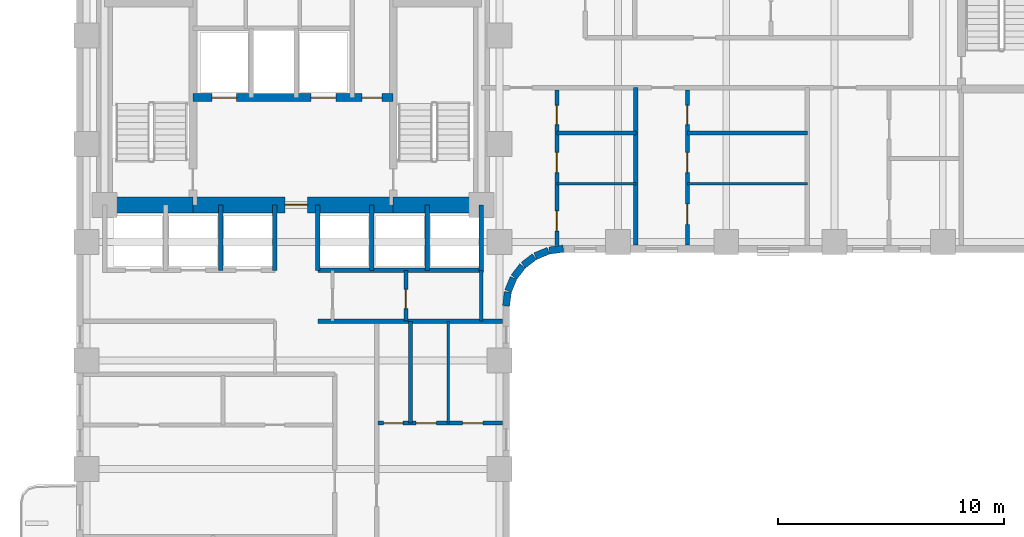
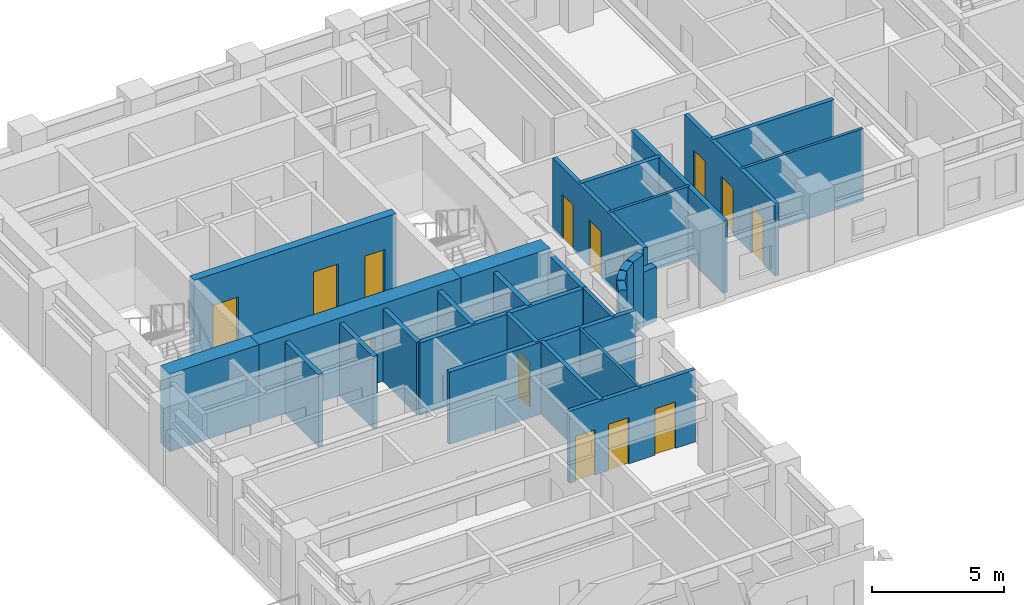
# One storey, part 4 of 11: 30 walls, 14 doors, 14 openings.
"""IFC4 building model written with IfcOpenShell, lengths in metres."""

from ifc_helpers import new_model, si_unit, direction, frame, frame_2d, origin, place, context, subcontext, project, spatial, rectangle, extrude, material, layer, layer_set, type_object, element, fill, save


model = new_model("IFC4")

# Units and contexts
model_context = context("Model", 3, precision=1e-05, world=origin(), true_north=direction((0.0, 1.0)))
body_context = subcontext(model_context, "Body", "Model", "MODEL_VIEW")
ifc_project = project(units=[si_unit("LENGTHUNIT", "METRE"), si_unit("AREAUNIT", "SQUARE_METRE"), si_unit("VOLUMEUNIT", "CUBIC_METRE"), si_unit("PLANEANGLEUNIT", "RADIAN"), si_unit("MASSUNIT", "GRAM", prefix="KILO")], contexts=[model_context])

# Site, building, storey
site_placement = place(None, origin())
site = spatial("IfcSite", under=ifc_project, at=site_placement, CompositionType="ELEMENT")
building_placement = place(site_placement, origin())
building = spatial("IfcBuilding", under=site, at=building_placement, Name="Orvandelia Arch Residences", CompositionType="ELEMENT")
storey_placement = place(building_placement, frame((0.0, 0.0, 53.800048828125)))
storey = spatial("IfcBuildingStorey", under=building, at=storey_placement, Name="L13", CompositionType="ELEMENT", Elevation=53.800048828125)

# Wall, openings, doors
ifc_material_1 = material(Name="Concrete C50/60", Category="concrete")
ifc_layer_1 = layer(ifc_material_1, 0.35009765625, Name="Concrete C50/60", Category="concrete")
ifc_layer_set_1 = layer_set([ifc_layer_1], Name="Concrete C50/60")
wall_type_1 = type_object("IfcWallType", Name="WL-CORE-350", PredefinedType="SHEAR", material=ifc_layer_set_1)
wall_1_placement = place(storey_placement, frame((9.9599609375, 35.64990234375, 0.0), z_axis=(0.0, 0.0, 1.0), x_axis=(1.0, 0.0, 0.0)))
wall_1 = element("IfcWall", 1, at=wall_1_placement, inside=storey, type_object=wall_type_1, Name="Core Shear Wall L13-HZ3", PredefinedType="SHEAR", context=body_context, shape_type="SweptSolid", body=[
    extrude(rectangle(XDim=8.880126953125, YDim=0.35009765625, at=frame_2d((4.43994140625, 0.0))), origin(), (0.0, 0.0, 1.0), 3.599853515625),
])
opening_1_placement = place(wall_1_placement, frame((0.840087890625, 0.0, 0.0)))
opening_1 = element("IfcOpeningElement", 2, at=opening_1_placement, cuts=wall_1, Name="Opening FLD", PredefinedType="OPENING", context=body_context, shape_type="SweptSolid", body=[
    extrude(rectangle(XDim=1.10009765625, YDim=2.14990234375, at=frame_2d((0.550048828125, 1.074951171875))), frame((0.0, 0.18505859375, 0.0), z_axis=(0.0, -1.0, 0.0), x_axis=(1.0, 0.0, 0.0)), (0.0, 0.0, 1.0), 0.3701171875),
])
opening_2_placement = place(wall_1_placement, frame((5.239990234375, 0.0, 0.0)))
opening_2 = element("IfcOpeningElement", 3, at=opening_2_placement, cuts=wall_1, Name="Opening FLD", PredefinedType="OPENING", context=body_context, shape_type="SweptSolid", body=[
    extrude(rectangle(XDim=1.10009765625, YDim=2.14990234375, at=frame_2d((0.550048828125, 1.074951171875))), frame((0.0, 0.18505859375, 0.0), z_axis=(0.0, -1.0, 0.0), x_axis=(1.0, 0.0, 0.0)), (0.0, 0.0, 1.0), 0.3701171875),
])
opening_3_placement = place(wall_1_placement, frame((7.5, 0.0, 0.0)))
opening_3 = element("IfcOpeningElement", 4, at=opening_3_placement, cuts=wall_1, Name="Opening D5", PredefinedType="OPENING", context=body_context, shape_type="SweptSolid", body=[
    extrude(rectangle(XDim=0.8798828125, YDim=2.10009765625, at=frame_2d((0.43994140625, 1.050048828125))), frame((0.0, 0.18505859375, 0.0), z_axis=(0.0, -1.0, 0.0), x_axis=(1.0, 0.0, 0.0)), (0.0, 0.0, 1.0), 0.3701171875),
])
ifc_material_2 = material(Name="Firefighting Lift Stainless Sliding Door")
door_type_1 = type_object("IfcDoorType", Name="DR-FLFT-1100", OperationType="NOTDEFINED", PredefinedType="DOOR", material=ifc_material_2)
door_1_placement = place(opening_1_placement, origin())
door_1 = element("IfcDoor", 5, at=door_1_placement, inside=storey, type_object=door_type_1, Name="Firefighting Lift Landing Door FLD-FL1-L13", OperationType="SLIDING_TO_LEFT", OverallHeight=2.14990234375, OverallWidth=1.10009765625, PredefinedType="DOOR", context=body_context, shape_type="SweptSolid", body=[
    extrude(rectangle(XDim=1.10009765625, YDim=2.14990234375, at=frame_2d((0.550048828125, 1.074951171875))), frame((0.0, 0.02490234375, 0.0), z_axis=(0.0, -1.0, 0.0), x_axis=(1.0, 0.0, 0.0)), (0.0, 0.0, 1.0), 0.050048828125),
])
fill(opening_1, door_1)
door_2_placement = place(opening_2_placement, origin())
door_2 = element("IfcDoor", 6, at=door_2_placement, inside=storey, type_object=door_type_1, Name="Firefighting Lift Landing Door FLD-FL2-L13", OperationType="SLIDING_TO_RIGHT", OverallHeight=2.14990234375, OverallWidth=1.10009765625, PredefinedType="DOOR", context=body_context, shape_type="SweptSolid", body=[
    extrude(rectangle(XDim=1.10009765625, YDim=2.14990234375, at=frame_2d((0.550048828125, 1.074951171875))), frame((0.0, 0.02490234375, 0.0), z_axis=(0.0, -1.0, 0.0), x_axis=(1.0, 0.0, 0.0)), (0.0, 0.0, 1.0), 0.050048828125),
])
fill(opening_2, door_2)
ifc_material_3 = material(Name="Painted Galvanised Steel Service Door", Category="steel")
door_type_2 = type_object("IfcDoorType", Name="DR-SRV-880", OperationType="NOTDEFINED", PredefinedType="DOOR", material=ifc_material_3)
door_3_placement = place(opening_3_placement, origin())
door_3 = element("IfcDoor", 7, at=door_3_placement, inside=storey, type_object=door_type_2, Name="Core Stairway Passage South Fire Door L13", OperationType="SINGLE_SWING_LEFT", OverallHeight=2.10009765625, OverallWidth=0.8798828125, PredefinedType="DOOR", context=body_context, shape_type="SweptSolid", body=[
    extrude(rectangle(XDim=0.8798828125, YDim=2.10009765625, at=frame_2d((0.43994140625, 1.050048828125))), frame((0.0, 0.02490234375, 0.0), z_axis=(0.0, -1.0, 0.0), x_axis=(1.0, 0.0, 0.0)), (0.0, 0.0, 1.0), 0.050048828125),
])
fill(opening_3, door_3)

# Wall
ifc_material_4 = material(Name="Concrete C80/95", Category="concrete")
ifc_layer_2 = layer(ifc_material_4, 0.699951171875, Name="Concrete C80/95", Category="concrete")
ifc_layer_set_2 = layer_set([ifc_layer_2], Name="Concrete C80/95")
wall_type_2 = type_object("IfcWallType", Name="WL-CORE-700", PredefinedType="SHEAR", material=ifc_layer_set_2)
wall_2_placement = place(storey_placement, frame((6.050048828125, 30.89990234375, 0.0), z_axis=(0.0, 0.0, 1.0), x_axis=(1.0, 0.0, 0.0)))
element("IfcWall", 8, at=wall_2_placement, inside=storey, type_object=wall_type_2, Name="Core Shear Wall L13-SW", PredefinedType="SHEAR", context=body_context, shape_type="SweptSolid", body=[
    extrude(rectangle(XDim=3.909912109375, YDim=0.699951171875, at=frame_2d((1.955078125, 0.0))), origin(), (0.0, 0.0, 1.0), 3.599853515625),
])

# Wall, opening, door
wall_3_placement = place(storey_placement, frame((9.9599609375, 30.89990234375, 0.0), z_axis=(0.0, 0.0, 1.0), x_axis=(1.0, 0.0, 0.0)))
wall_3 = element("IfcWall", 9, at=wall_3_placement, inside=storey, type_object=wall_type_2, Name="Core Shear Wall L13-SM", PredefinedType="SHEAR", context=body_context, shape_type="SweptSolid", body=[
    extrude(rectangle(XDim=8.880126953125, YDim=0.699951171875, at=frame_2d((4.43994140625, 0.0))), origin(), (0.0, 0.0, 1.0), 3.599853515625),
])
opening_4_placement = place(wall_3_placement, frame((4.090087890625, 0.0, 0.0)))
opening_4 = element("IfcOpeningElement", 10, at=opening_4_placement, cuts=wall_3, Name="Opening D6", PredefinedType="OPENING", context=body_context, shape_type="SweptSolid", body=[
    extrude(rectangle(XDim=1.0, YDim=2.14990234375, at=frame_2d((0.5, 1.074951171875))), frame((0.0, 0.35986328125, 0.0), z_axis=(0.0, -1.0, 0.0), x_axis=(1.0, 0.0, 0.0)), (0.0, 0.0, 1.0), 0.719970703125),
])
ifc_material_5 = material(Name="Smokeproof Painted Steel Fire Door", Category="steel")
door_type_3 = type_object("IfcDoorType", Name="DR-FD60-1000", OperationType="NOTDEFINED", PredefinedType="DOOR", material=ifc_material_5)
door_4_placement = place(opening_4_placement, origin())
door_4 = element("IfcDoor", 11, at=door_4_placement, inside=storey, type_object=door_type_3, Name="Firefighting Lobby Smokeproof Door L13", OperationType="SINGLE_SWING_LEFT", OverallHeight=2.14990234375, OverallWidth=1.0, PredefinedType="DOOR", context=body_context, shape_type="SweptSolid", body=[
    extrude(rectangle(XDim=1.0, YDim=2.14990234375, at=frame_2d((0.5, 1.074951171875))), frame((0.0, 0.02490234375, 0.0), z_axis=(0.0, -1.0, 0.0), x_axis=(1.0, 0.0, 0.0)), (0.0, 0.0, 1.0), 0.050048828125),
])
fill(opening_4, door_4)

# Walls
wall_4_placement = place(storey_placement, frame((18.840087890625, 30.89990234375, 0.0), z_axis=(0.0, 0.0, 1.0), x_axis=(1.0, 0.0, 0.0)))
element("IfcWall", 12, at=wall_4_placement, inside=storey, type_object=wall_type_2, Name="Core Shear Wall L13-SE", PredefinedType="SHEAR", context=body_context, shape_type="SweptSolid", body=[
    extrude(rectangle(XDim=3.909912109375, YDim=0.699951171875, at=frame_2d((1.955078125, 0.0))), origin(), (0.0, 0.0, 1.0), 3.599853515625),
])
ifc_material_6 = material(Name="Fire-Rated Corridor Partition")
ifc_layer_3 = layer(ifc_material_6, 0.199951171875, Name="Fire-Rated Corridor Partition")
ifc_layer_set_3 = layer_set([ifc_layer_3], Name="Fire-Rated Corridor Partition")
wall_type_3 = type_object("IfcWallType", Name="WL-CORR-200", PredefinedType="PARTITIONING", material=ifc_layer_set_3)
wall_5_placement = place(storey_placement, frame((15.5, 25.75, 0.0), z_axis=(0.0, 0.0, 1.0), x_axis=(1.0, 0.0, 0.0)))
element("IfcWall", 13, at=wall_5_placement, inside=storey, type_object=wall_type_3, Name="Interior Partition Wall WL-L13-WLNK-NE", PredefinedType="PARTITIONING", context=body_context, shape_type="SweptSolid", body=[
    extrude(rectangle(XDim=8.179931640625, YDim=0.199951171875, at=frame_2d((4.08984375, 0.0))), origin(), (0.0, 0.0, 1.0), 3.349853515625),
])
ifc_material_7 = material(Name="Concrete C40/50", Category="concrete")
ifc_layer_4 = layer(ifc_material_7, 0.199951171875, Name="Concrete C40/50", Category="concrete")
ifc_layer_set_4 = layer_set([ifc_layer_4], Name="Concrete C40/50")
wall_type_4 = type_object("IfcWallType", Name="WL-DEM-200", PredefinedType="SOLIDWALL", material=ifc_layer_set_4)
wall_6_placement = place(storey_placement, frame((29.60009765625, 29.1201171875, 0.0), z_axis=(0.0, 0.0, 1.0), x_axis=(0.0, 1.0, 0.0)))
element("IfcWall", 14, at=wall_6_placement, inside=storey, type_object=wall_type_4, Name="Interior Partition Wall WL-L13-DEM-EMS-296", PredefinedType="SOLIDWALL", context=body_context, shape_type="SweptSolid", body=[
    extrude(rectangle(XDim=6.97998046875, YDim=0.199951171875, at=frame_2d((3.489990234375, 0.0))), origin(), (0.0, 0.0, 1.0), 3.349853515625),
])
ifc_material_8 = material(Name="Precast concrete C40/50", Category="concrete")
ifc_layer_5 = layer(ifc_material_8, 0.320068359375, Name="Precast concrete C40/50", Category="concrete")
ifc_layer_set_5 = layer_set([ifc_layer_5], Name="Precast concrete C40/50")
wall_type_5 = type_object("IfcWallType", Name="WL-EXT-STONE-320", PredefinedType="STANDARD", material=ifc_layer_set_5)
wall_7_placement = place(storey_placement, frame((26.379150390625, 28.95849609375, 0.0), z_axis=(0.0, 0.0, 1.0), x_axis=(-0.991447664465, -0.130504898859, 0.0)))
element("IfcWall", 15, at=wall_7_placement, inside=storey, type_object=wall_type_5, Name="Coral-Limestone Precast Facade Wall L13-022", PredefinedType="STANDARD", context=body_context, shape_type="SweptSolid", body=[
    extrude(rectangle(XDim=0.626708984375, YDim=0.320068359375, at=frame_2d((0.3134765625, 0.0))), origin(), (0.0, 0.0, 1.0), 2.530029296875),
])
wall_8_placement = place(storey_placement, frame((25.717529296875, 28.865966796875, 0.0), z_axis=(0.0, 0.0, 1.0), x_axis=(-0.923836271867, -0.382787856107, 0.0)))
element("IfcWall", 16, at=wall_8_placement, inside=storey, type_object=wall_type_5, Name="Coral-Limestone Precast Facade Wall L13-023", PredefinedType="STANDARD", context=body_context, shape_type="SweptSolid", body=[
    extrude(rectangle(XDim=0.626220703125, YDim=0.320068359375, at=frame_2d((0.31298828125, 0.0))), origin(), (0.0, 0.0, 1.0), 3.349853515625),
])
for number, where, z_axis, x_axis, name in (
    (17, (25.1025390625, 28.60546875, 0.0), (0.0, 0.0, 1.0), (-0.793405610854, -0.608693302629, 0.0), "Coral-Limestone Precast Facade Wall L13-024"),
    (18, (24.575927734375, 28.194580078125, 0.0), (0.0, 0.0, 1.0), (-0.608693302629, -0.793405610854, 0.0), "Coral-Limestone Precast Facade Wall L13-025"),
):
    element("IfcWall", number, at=place(storey_placement, frame(where, z_axis=z_axis, x_axis=x_axis)), inside=storey, type_object=wall_type_5, Name=name, PredefinedType="STANDARD", context=body_context, shape_type="SweptSolid", body=[
        extrude(rectangle(XDim=0.62646484375, YDim=0.320068359375, at=frame_2d((0.313232421875, 0.0))), origin(), (0.0, 0.0, 1.0), 3.349853515625),
    ])
wall_9_placement = place(storey_placement, frame((24.173583984375, 27.6611328125, 0.0), z_axis=(0.0, 0.0, 1.0), x_axis=(-0.382455093999, -0.923974080304, 0.0)))
element("IfcWall", 19, at=wall_9_placement, inside=storey, type_object=wall_type_5, Name="Coral-Limestone Precast Facade Wall L13-026", PredefinedType="STANDARD", context=body_context, shape_type="SweptSolid", body=[
    extrude(rectangle(XDim=0.626220703125, YDim=0.320068359375, at=frame_2d((0.31298828125, 0.0))), origin(), (0.0, 0.0, 1.0), 3.349853515625),
])
wall_10_placement = place(storey_placement, frame((23.923095703125, 27.0419921875, 0.0), z_axis=(0.0, 0.0, 1.0), x_axis=(-0.130555323746, -0.9914410257, 0.0)))
element("IfcWall", 20, at=wall_10_placement, inside=storey, type_object=wall_type_5, Name="Coral-Limestone Precast Facade Wall L13-027", PredefinedType="STANDARD", context=body_context, shape_type="SweptSolid", body=[
    extrude(rectangle(XDim=0.62646484375, YDim=0.320068359375, at=frame_2d((0.313232421875, 0.0))), origin(), (0.0, 0.0, 1.0), 2.530029296875),
])
ifc_material_9 = material(Name="Lightweight Gypsum Stud Partition")
ifc_layer_6 = layer(ifc_material_9, 0.1201171875, Name="Lightweight Gypsum Stud Partition")
ifc_layer_set_6 = layer_set([ifc_layer_6], Name="Lightweight Gypsum Stud Partition")
wall_type_6 = type_object("IfcWallType", Name="WL-PART-120", PredefinedType="PARTITIONING", material=ifc_layer_set_6)
wall_11_placement = place(storey_placement, frame((21.284912109375, 21.22412109375, 0.0), z_axis=(0.0, 0.0, 1.0), x_axis=(0.0, 1.0, 0.0)))
element("IfcWall", 21, at=wall_11_placement, inside=storey, type_object=wall_type_6, Name="Interior Partition Wall WL-L13-U05-V2", PredefinedType="PARTITIONING", context=body_context, shape_type="SweptSolid", body=[
    extrude(rectangle(XDim=4.495849609375, YDim=0.1201171875, at=frame_2d((2.248046875, 0.0))), origin(), (0.0, 0.0, 1.0), 3.349853515625),
])
wall_12_placement = place(storey_placement, frame((26.093017578125, 31.8359375, 0.0), z_axis=(0.0, 0.0, 1.0), x_axis=(1.0, 0.0, 0.0)))
element("IfcWall", 22, at=wall_12_placement, inside=storey, type_object=wall_type_6, Name="Interior Partition Wall WL-L13-U06-H1", PredefinedType="PARTITIONING", context=body_context, shape_type="SweptSolid", body=[
    extrude(rectangle(XDim=3.507080078125, YDim=0.1201171875, at=frame_2d((1.75341796875, 0.0))), origin(), (0.0, 0.0, 1.0), 3.349853515625),
])
wall_13_placement = place(storey_placement, frame((31.8798828125, 31.8359375, 0.0), z_axis=(0.0, 0.0, 1.0), x_axis=(1.0, 0.0, 0.0)))
element("IfcWall", 23, at=wall_13_placement, inside=storey, type_object=wall_type_6, Name="Interior Partition Wall WL-L13-U07-H1", PredefinedType="PARTITIONING", context=body_context, shape_type="SweptSolid", body=[
    extrude(rectangle(XDim=5.320068359375, YDim=0.1201171875, at=frame_2d((2.66015625, 0.0))), origin(), (0.0, 0.0, 1.0), 3.349853515625),
])
ifc_material_10 = material(Name="Acoustic Gypsum Stud Partition")
ifc_layer_7 = layer(ifc_material_10, 0.14990234375, Name="Acoustic Gypsum Stud Partition")
ifc_layer_set_7 = layer_set([ifc_layer_7], Name="Acoustic Gypsum Stud Partition")
wall_type_7 = type_object("IfcWallType", Name="WL-PART-150", PredefinedType="PARTITIONING", material=ifc_layer_set_7)
wall_14_placement = place(storey_placement, frame((22.75, 25.75, 0.0), z_axis=(0.0, 0.0, 1.0), x_axis=(0.0, 1.0, 0.0)))
element("IfcWall", 24, at=wall_14_placement, inside=storey, type_object=wall_type_7, Name="Interior Partition Wall WL-L13-HLS-EE", PredefinedType="PARTITIONING", context=body_context, shape_type="SweptSolid", body=[
    extrude(rectangle(XDim=2.25, YDim=0.14990234375, at=frame_2d((1.125, 0.0))), origin(), (0.0, 0.0, 1.0), 3.349853515625),
])
ifc_material_11 = material(Name="Fire-Rated Shaft Enclosure Wall")
ifc_layer_8 = layer(ifc_material_11, 0.199951171875, Name="Fire-Rated Shaft Enclosure Wall")
ifc_layer_set_8 = layer_set([ifc_layer_8], Name="Fire-Rated Shaft Enclosure Wall")
wall_type_8 = type_object("IfcWallType", Name="WL-SHAFT-200", PredefinedType="POLYGONAL", material=ifc_layer_set_8)
wall_15_placement = place(storey_placement, frame((15.5, 28.0, 0.0), z_axis=(0.0, 0.0, 1.0), x_axis=(1.0, 0.0, 0.0)))
element("IfcWall", 25, at=wall_15_placement, inside=storey, type_object=wall_type_8, Name="Interior Partition Wall WL-L13-BNKM-S", PredefinedType="POLYGONAL", context=body_context, shape_type="SweptSolid", body=[
    extrude(rectangle(XDim=7.25, YDim=0.199951171875, at=frame_2d((3.625, 0.0))), origin(), (0.0, 0.0, 1.0), 3.349853515625),
])
wall_16_placement = place(storey_placement, frame((22.75, 27.89990234375, 0.0), z_axis=(0.0, 0.0, 1.0), x_axis=(0.0, 1.0, 0.0)))
element("IfcWall", 26, at=wall_16_placement, inside=storey, type_object=wall_type_8, Name="Interior Partition Wall WL-L13-BNKM-E", PredefinedType="POLYGONAL", context=body_context, shape_type="SweptSolid", body=[
    extrude(rectangle(XDim=3.0, YDim=0.199951171875, at=frame_2d((1.5, 0.0))), origin(), (0.0, 0.0, 1.0), 3.349853515625),
])
for number, where, z_axis, x_axis, name in (
    (27, (13.60009765625, 28.0, 0.0), (0.0, 0.0, 1.0), (0.0, 1.0, 0.0), "Interior Partition Wall WL-L13-BNKL-E"),
    (28, (15.5, 28.0, 0.0), (0.0, 0.0, 1.0), (0.0, 1.0, 0.0), "Interior Partition Wall WL-L13-BNKM-W"),
    (29, (11.199951171875, 28.0, 0.0), (0.0, 0.0, 1.0), (0.0, 1.0, 0.0), "Interior Partition Wall WL-L13-BNKD-1120"),
    (30, (17.89990234375, 28.0, 0.0), (0.0, 0.0, 1.0), (0.0, 1.0, 0.0), "Interior Partition Wall WL-L13-BNKD-1789"),
    (31, (20.35009765625, 28.0, 0.0), (0.0, 0.0, 1.0), (0.0, 1.0, 0.0), "Interior Partition Wall WL-L13-BNKD-2035"),
):
    element("IfcWall", number, at=place(storey_placement, frame(where, z_axis=z_axis, x_axis=x_axis)), inside=storey, type_object=wall_type_8, Name=name, PredefinedType="POLYGONAL", context=body_context, shape_type="SweptSolid", body=[
        extrude(rectangle(XDim=2.89990234375, YDim=0.199951171875, at=frame_2d((1.449951171875, 0.0))), origin(), (0.0, 0.0, 1.0), 3.349853515625),
    ])

# Wall, opening, door
ifc_material_12 = material(Name="Moisture-Resistant Plumbing Wall")
ifc_layer_9 = layer(ifc_material_12, 0.179931640625, Name="Moisture-Resistant Plumbing Wall")
ifc_layer_set_9 = layer_set([ifc_layer_9], Name="Moisture-Resistant Plumbing Wall")
wall_type_9 = type_object("IfcWallType", Name="WL-WET-180", PredefinedType="PLUMBINGWALL", material=ifc_layer_set_9)
wall_17_placement = place(storey_placement, frame((19.39990234375, 25.75, 0.0), z_axis=(0.0, 0.0, 1.0), x_axis=(0.0, 1.0, 0.0)))
wall_17 = element("IfcWall", 32, at=wall_17_placement, inside=storey, type_object=wall_type_9, Name="Interior Partition Wall WL-L13-HLS-ZM2", PredefinedType="PLUMBINGWALL", context=body_context, shape_type="SweptSolid", body=[
    extrude(rectangle(XDim=2.25, YDim=0.179931640625, at=frame_2d((1.125, 0.0))), origin(), (0.0, 0.0, 1.0), 3.349853515625),
])
opening_5_placement = place(wall_17_placement, frame((0.550048828125, 0.0, 0.0)))
opening_5 = element("IfcOpeningElement", 33, at=opening_5_placement, cuts=wall_17, Name="Opening D4", PredefinedType="OPENING", context=body_context, shape_type="SweptSolid", body=[
    extrude(rectangle(XDim=0.860107421875, YDim=2.10009765625, at=frame_2d((0.43017578125, 1.050048828125))), frame((0.0, 0.10009765625, 0.0), z_axis=(0.0, -1.0, 0.0), x_axis=(1.0, 0.0, 0.0)), (0.0, 0.0, 1.0), 0.199951171875),
])
ifc_material_13 = material(Name="Moisture-Sealed Timber Bathroom Door", Category="wood")
door_type_4 = type_object("IfcDoorType", Name="DR-WET-900", OperationType="NOTDEFINED", PredefinedType="DOOR", material=ifc_material_13)
door_5_placement = place(opening_5_placement, origin())
door_5 = element("IfcDoor", 34, at=door_5_placement, inside=storey, type_object=door_type_4, Name="DR-L13-CSZ1B", OperationType="SINGLE_SWING_LEFT", OverallHeight=2.10009765625, OverallWidth=0.860107421875, PredefinedType="DOOR", context=body_context, shape_type="SweptSolid", body=[
    extrude(rectangle(XDim=0.860107421875, YDim=2.10009765625, at=frame_2d((0.43017578125, 1.050048828125))), frame((0.0, 0.02490234375, 0.0), z_axis=(0.0, -1.0, 0.0), x_axis=(1.0, 0.0, 0.0)), (0.0, 0.0, 1.0), 0.050048828125),
])
fill(opening_5, door_5)

# Wall, openings, doors
wall_18_placement = place(storey_placement, frame((18.159912109375, 21.22412109375, 0.0), z_axis=(0.0, 0.0, 1.0), x_axis=(1.0, 0.0, 0.0)))
wall_18 = element("IfcWall", 35, at=wall_18_placement, inside=storey, type_object=wall_type_9, Name="Interior Partition Wall WL-L13-U05-HZ", PredefinedType="PLUMBINGWALL", context=body_context, shape_type="SweptSolid", body=[
    extrude(rectangle(XDim=5.52001953125, YDim=0.179931640625, at=frame_2d((2.760009765625, 0.0))), origin(), (0.0, 0.0, 1.0), 3.349853515625),
])
opening_6_placement = place(wall_18_placement, frame((0.260009765625, 0.0, 0.0)))
opening_6 = element("IfcOpeningElement", 36, at=opening_6_placement, cuts=wall_18, Name="Opening D4", PredefinedType="OPENING", context=body_context, shape_type="SweptSolid", body=[
    extrude(rectangle(XDim=0.860107421875, YDim=2.10009765625, at=frame_2d((0.43017578125, 1.050048828125))), frame((0.0, 0.10009765625, 0.0), z_axis=(0.0, -1.0, 0.0), x_axis=(1.0, 0.0, 0.0)), (0.0, 0.0, 1.0), 0.199951171875),
])
opening_7_placement = place(wall_18_placement, frame((1.697998046875, 0.0, 0.0)))
opening_7 = element("IfcOpeningElement", 37, at=opening_7_placement, cuts=wall_18, Name="Opening D3", PredefinedType="OPENING", context=body_context, shape_type="SweptSolid", body=[
    extrude(rectangle(XDim=0.89990234375, YDim=2.14990234375, at=frame_2d((0.449951171875, 1.074951171875))), frame((0.0, 0.10009765625, 0.0), z_axis=(0.0, -1.0, 0.0), x_axis=(1.0, 0.0, 0.0)), (0.0, 0.0, 1.0), 0.199951171875),
])
opening_8_placement = place(wall_18_placement, frame((3.757080078125, 0.0, 0.0)))
opening_8 = element("IfcOpeningElement", 38, at=opening_8_placement, cuts=wall_18, Name="Opening D3", PredefinedType="OPENING", context=body_context, shape_type="SweptSolid", body=[
    extrude(rectangle(XDim=0.89990234375, YDim=2.14990234375, at=frame_2d((0.449951171875, 1.074951171875))), frame((0.0, 0.10009765625, 0.0), z_axis=(0.0, -1.0, 0.0), x_axis=(1.0, 0.0, 0.0)), (0.0, 0.0, 1.0), 0.199951171875),
])
ifc_material_14 = material(Name="Engineered Timber Flush Door", Category="wood")
door_type_5 = type_object("IfcDoorType", Name="DR-INT-900", OperationType="NOTDEFINED", PredefinedType="DOOR", material=ifc_material_14)
door_6_placement = place(opening_7_placement, origin())
door_6 = element("IfcDoor", 39, at=door_6_placement, inside=storey, type_object=door_type_5, Name="DR-L13-U05-KIT", OperationType="SINGLE_SWING_LEFT", OverallHeight=2.14990234375, OverallWidth=0.89990234375, PredefinedType="DOOR", context=body_context, shape_type="SweptSolid", body=[
    extrude(rectangle(XDim=0.89990234375, YDim=2.14990234375, at=frame_2d((0.449951171875, 1.074951171875))), frame((0.0, 0.02490234375, 0.0), z_axis=(0.0, -1.0, 0.0), x_axis=(1.0, 0.0, 0.0)), (0.0, 0.0, 1.0), 0.050048828125),
])
fill(opening_7, door_6)
door_7_placement = place(opening_8_placement, origin())
door_7 = element("IfcDoor", 40, at=door_7_placement, inside=storey, type_object=door_type_5, Name="DR-L13-U05-BD1", OperationType="SINGLE_SWING_RIGHT", OverallHeight=2.14990234375, OverallWidth=0.89990234375, PredefinedType="DOOR", context=body_context, shape_type="SweptSolid", body=[
    extrude(rectangle(XDim=0.89990234375, YDim=2.14990234375, at=frame_2d((0.449951171875, 1.074951171875))), frame((0.0, 0.02490234375, 0.0), z_axis=(0.0, -1.0, 0.0), x_axis=(1.0, 0.0, 0.0)), (0.0, 0.0, 1.0), 0.050048828125),
])
fill(opening_8, door_7)
door_8_placement = place(opening_6_placement, origin())
door_8 = element("IfcDoor", 41, at=door_8_placement, inside=storey, type_object=door_type_4, Name="DR-L13-U05-BTH", OperationType="SINGLE_SWING_RIGHT", OverallHeight=2.10009765625, OverallWidth=0.860107421875, PredefinedType="DOOR", context=body_context, shape_type="SweptSolid", body=[
    extrude(rectangle(XDim=0.860107421875, YDim=2.10009765625, at=frame_2d((0.43017578125, 1.050048828125))), frame((0.0, 0.02490234375, 0.0), z_axis=(0.0, -1.0, 0.0), x_axis=(1.0, 0.0, 0.0)), (0.0, 0.0, 1.0), 0.050048828125),
])
fill(opening_6, door_8)

# Wall
wall_19_placement = place(storey_placement, frame((19.597900390625, 21.22412109375, 0.0), z_axis=(0.0, 0.0, 1.0), x_axis=(0.0, 1.0, 0.0)))
element("IfcWall", 42, at=wall_19_placement, inside=storey, type_object=wall_type_9, Name="Interior Partition Wall WL-L13-U05-V1", PredefinedType="PLUMBINGWALL", context=body_context, shape_type="SweptSolid", body=[
    extrude(rectangle(XDim=4.495849609375, YDim=0.179931640625, at=frame_2d((2.248046875, 0.0))), origin(), (0.0, 0.0, 1.0), 3.349853515625),
])

# Wall, openings, doors
wall_20_placement = place(storey_placement, frame((26.093017578125, 29.10009765625, 0.0), z_axis=(0.0, 0.0, 1.0), x_axis=(0.0, 1.0, 0.0)))
wall_20 = element("IfcWall", 43, at=wall_20_placement, inside=storey, type_object=wall_type_9, Name="Interior Partition Wall WL-L13-U06-VT", PredefinedType="PLUMBINGWALL", context=body_context, shape_type="SweptSolid", body=[
    extrude(rectangle(XDim=6.89990234375, YDim=0.179931640625, at=frame_2d((3.449951171875, 0.0))), origin(), (0.0, 0.0, 1.0), 3.349853515625),
])
opening_9_placement = place(wall_20_placement, frame((0.63671875, 0.0, 0.0)))
opening_9 = element("IfcOpeningElement", 44, at=opening_9_placement, cuts=wall_20, Name="Opening D3", PredefinedType="OPENING", context=body_context, shape_type="SweptSolid", body=[
    extrude(rectangle(XDim=0.89990234375, YDim=2.14990234375, at=frame_2d((0.449951171875, 1.074951171875))), frame((0.0, 0.10009765625, 0.0), z_axis=(0.0, -1.0, 0.0), x_axis=(1.0, 0.0, 0.0)), (0.0, 0.0, 1.0), 0.199951171875),
])
opening_10_placement = place(wall_20_placement, frame((3.23046875, 0.0, 0.0)))
opening_10 = element("IfcOpeningElement", 45, at=opening_10_placement, cuts=wall_20, Name="Opening D3", PredefinedType="OPENING", context=body_context, shape_type="SweptSolid", body=[
    extrude(rectangle(XDim=0.89990234375, YDim=2.14990234375, at=frame_2d((0.449951171875, 1.074951171875))), frame((0.0, 0.10009765625, 0.0), z_axis=(0.0, -1.0, 0.0), x_axis=(1.0, 0.0, 0.0)), (0.0, 0.0, 1.0), 0.199951171875),
])
opening_11_placement = place(wall_20_placement, frame((5.351806640625, 0.0, 0.0)))
opening_11 = element("IfcOpeningElement", 46, at=opening_11_placement, cuts=wall_20, Name="Opening D4", PredefinedType="OPENING", context=body_context, shape_type="SweptSolid", body=[
    extrude(rectangle(XDim=0.860107421875, YDim=2.10009765625, at=frame_2d((0.43017578125, 1.050048828125))), frame((0.0, 0.10009765625, 0.0), z_axis=(0.0, -1.0, 0.0), x_axis=(1.0, 0.0, 0.0)), (0.0, 0.0, 1.0), 0.199951171875),
])
door_9_placement = place(opening_9_placement, origin())
door_9 = element("IfcDoor", 47, at=door_9_placement, inside=storey, type_object=door_type_5, Name="DR-L13-U06-BD1", OperationType="SINGLE_SWING_RIGHT", OverallHeight=2.14990234375, OverallWidth=0.89990234375, PredefinedType="DOOR", context=body_context, shape_type="SweptSolid", body=[
    extrude(rectangle(XDim=0.89990234375, YDim=2.14990234375, at=frame_2d((0.449951171875, 1.074951171875))), frame((0.0, 0.02490234375, 0.0), z_axis=(0.0, -1.0, 0.0), x_axis=(1.0, 0.0, 0.0)), (0.0, 0.0, 1.0), 0.050048828125),
])
fill(opening_9, door_9)
door_10_placement = place(opening_10_placement, origin())
door_10 = element("IfcDoor", 48, at=door_10_placement, inside=storey, type_object=door_type_5, Name="DR-L13-U06-KIT", OperationType="SINGLE_SWING_LEFT", OverallHeight=2.14990234375, OverallWidth=0.89990234375, PredefinedType="DOOR", context=body_context, shape_type="SweptSolid", body=[
    extrude(rectangle(XDim=0.89990234375, YDim=2.14990234375, at=frame_2d((0.449951171875, 1.074951171875))), frame((0.0, 0.02490234375, 0.0), z_axis=(0.0, -1.0, 0.0), x_axis=(1.0, 0.0, 0.0)), (0.0, 0.0, 1.0), 0.050048828125),
])
fill(opening_10, door_10)
door_11_placement = place(opening_11_placement, origin())
door_11 = element("IfcDoor", 49, at=door_11_placement, inside=storey, type_object=door_type_4, Name="DR-L13-U06-BTH", OperationType="SINGLE_SWING_RIGHT", OverallHeight=2.10009765625, OverallWidth=0.860107421875, PredefinedType="DOOR", context=body_context, shape_type="SweptSolid", body=[
    extrude(rectangle(XDim=0.860107421875, YDim=2.10009765625, at=frame_2d((0.43017578125, 1.050048828125))), frame((0.0, 0.02490234375, 0.0), z_axis=(0.0, -1.0, 0.0), x_axis=(1.0, 0.0, 0.0)), (0.0, 0.0, 1.0), 0.050048828125),
])
fill(opening_11, door_11)

# Wall
wall_21_placement = place(storey_placement, frame((26.093017578125, 34.0849609375, 0.0), z_axis=(0.0, 0.0, 1.0), x_axis=(1.0, 0.0, 0.0)))
element("IfcWall", 50, at=wall_21_placement, inside=storey, type_object=wall_type_9, Name="Interior Partition Wall WL-L13-U06-H2", PredefinedType="PLUMBINGWALL", context=body_context, shape_type="SweptSolid", body=[
    extrude(rectangle(XDim=3.507080078125, YDim=0.179931640625, at=frame_2d((1.75341796875, 0.0))), origin(), (0.0, 0.0, 1.0), 3.349853515625),
])

# Wall, openings, doors
wall_22_placement = place(storey_placement, frame((31.8798828125, 29.1201171875, 0.0), z_axis=(0.0, 0.0, 1.0), x_axis=(0.0, 1.0, 0.0)))
wall_22 = element("IfcWall", 51, at=wall_22_placement, inside=storey, type_object=wall_type_9, Name="Interior Partition Wall WL-L13-U07-VT", PredefinedType="PLUMBINGWALL", context=body_context, shape_type="SweptSolid", body=[
    extrude(rectangle(XDim=6.8798828125, YDim=0.179931640625, at=frame_2d((3.43994140625, 0.0))), origin(), (0.0, 0.0, 1.0), 3.349853515625),
])
opening_12_placement = place(wall_22_placement, frame((0.916748046875, 0.0, 0.0)))
opening_12 = element("IfcOpeningElement", 52, at=opening_12_placement, cuts=wall_22, Name="Opening D3", PredefinedType="OPENING", context=body_context, shape_type="SweptSolid", body=[
    extrude(rectangle(XDim=0.89990234375, YDim=2.14990234375, at=frame_2d((0.449951171875, 1.074951171875))), frame((0.0, 0.10009765625, 0.0), z_axis=(0.0, -1.0, 0.0), x_axis=(1.0, 0.0, 0.0)), (0.0, 0.0, 1.0), 0.199951171875),
])
opening_13_placement = place(wall_22_placement, frame((3.21044921875, 0.0, 0.0)))
opening_13 = element("IfcOpeningElement", 53, at=opening_13_placement, cuts=wall_22, Name="Opening D3", PredefinedType="OPENING", context=body_context, shape_type="SweptSolid", body=[
    extrude(rectangle(XDim=0.89990234375, YDim=2.14990234375, at=frame_2d((0.449951171875, 1.074951171875))), frame((0.0, 0.10009765625, 0.0), z_axis=(0.0, -1.0, 0.0), x_axis=(1.0, 0.0, 0.0)), (0.0, 0.0, 1.0), 0.199951171875),
])
opening_14_placement = place(wall_22_placement, frame((5.331787109375, 0.0, 0.0)))
opening_14 = element("IfcOpeningElement", 54, at=opening_14_placement, cuts=wall_22, Name="Opening D4", PredefinedType="OPENING", context=body_context, shape_type="SweptSolid", body=[
    extrude(rectangle(XDim=0.860107421875, YDim=2.10009765625, at=frame_2d((0.43017578125, 1.050048828125))), frame((0.0, 0.10009765625, 0.0), z_axis=(0.0, -1.0, 0.0), x_axis=(1.0, 0.0, 0.0)), (0.0, 0.0, 1.0), 0.199951171875),
])
door_12_placement = place(opening_12_placement, origin())
door_12 = element("IfcDoor", 55, at=door_12_placement, inside=storey, type_object=door_type_5, Name="DR-L13-U07-BD1", OperationType="SINGLE_SWING_LEFT", OverallHeight=2.14990234375, OverallWidth=0.89990234375, PredefinedType="DOOR", context=body_context, shape_type="SweptSolid", body=[
    extrude(rectangle(XDim=0.89990234375, YDim=2.14990234375, at=frame_2d((0.449951171875, 1.074951171875))), frame((0.0, 0.02490234375, 0.0), z_axis=(0.0, -1.0, 0.0), x_axis=(1.0, 0.0, 0.0)), (0.0, 0.0, 1.0), 0.050048828125),
])
fill(opening_12, door_12)
door_13_placement = place(opening_13_placement, origin())
door_13 = element("IfcDoor", 56, at=door_13_placement, inside=storey, type_object=door_type_5, Name="DR-L13-U07-KIT", OperationType="SINGLE_SWING_RIGHT", OverallHeight=2.14990234375, OverallWidth=0.89990234375, PredefinedType="DOOR", context=body_context, shape_type="SweptSolid", body=[
    extrude(rectangle(XDim=0.89990234375, YDim=2.14990234375, at=frame_2d((0.449951171875, 1.074951171875))), frame((0.0, 0.02490234375, 0.0), z_axis=(0.0, -1.0, 0.0), x_axis=(1.0, 0.0, 0.0)), (0.0, 0.0, 1.0), 0.050048828125),
])
fill(opening_13, door_13)
door_14_placement = place(opening_14_placement, origin())
door_14 = element("IfcDoor", 57, at=door_14_placement, inside=storey, type_object=door_type_4, Name="DR-L13-U07-BTH", OperationType="SINGLE_SWING_LEFT", OverallHeight=2.10009765625, OverallWidth=0.860107421875, PredefinedType="DOOR", context=body_context, shape_type="SweptSolid", body=[
    extrude(rectangle(XDim=0.860107421875, YDim=2.10009765625, at=frame_2d((0.43017578125, 1.050048828125))), frame((0.0, 0.02490234375, 0.0), z_axis=(0.0, -1.0, 0.0), x_axis=(1.0, 0.0, 0.0)), (0.0, 0.0, 1.0), 0.050048828125),
])
fill(opening_14, door_14)

# Wall
wall_23_placement = place(storey_placement, frame((31.8798828125, 34.0849609375, 0.0), z_axis=(0.0, 0.0, 1.0), x_axis=(1.0, 0.0, 0.0)))
element("IfcWall", 58, at=wall_23_placement, inside=storey, type_object=wall_type_9, Name="Interior Partition Wall WL-L13-U07-H2", PredefinedType="PLUMBINGWALL", context=body_context, shape_type="SweptSolid", body=[
    extrude(rectangle(XDim=5.320068359375, YDim=0.179931640625, at=frame_2d((2.66015625, 0.0))), origin(), (0.0, 0.0, 1.0), 3.349853515625),
])

save(model, "model.ifc")
